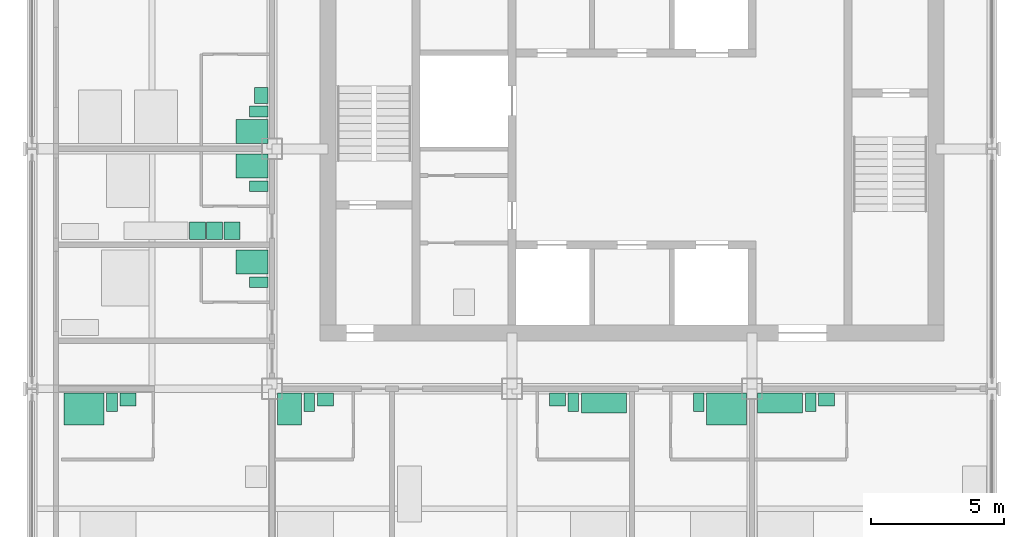
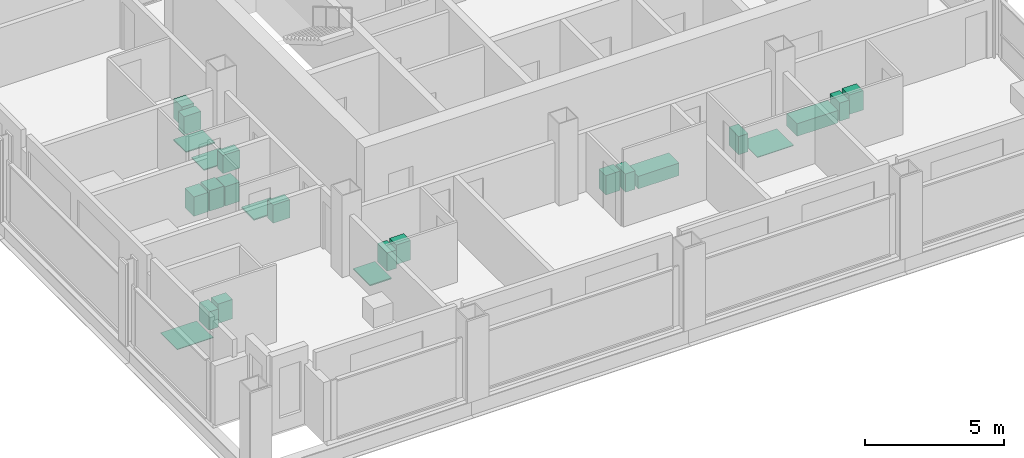
# One storey, part 11 of 12: 21 sanitary terminals, 3 electric appliances.
"""IFC4 building model written with IfcOpenShell, lengths in metres."""

from ifc_helpers import new_model, si_unit, direction, frame, origin, origin_2d, place, context, subcontext, project, spatial, rectangle, extrude, element, save


model = new_model("IFC4")

# Units and contexts
model_context = context("Model", 3, precision=1e-05, world=origin(), true_north=direction((0.0, 1.0)))
body_context = subcontext(model_context, "Body", "Model", "MODEL_VIEW")
ifc_project = project(units=[si_unit("LENGTHUNIT", "METRE"), si_unit("AREAUNIT", "SQUARE_METRE"), si_unit("VOLUMEUNIT", "CUBIC_METRE"), si_unit("PLANEANGLEUNIT", "RADIAN"), si_unit("MASSUNIT", "GRAM", prefix="KILO")], contexts=[model_context])

# Site, building, storey
site_placement = place(None, origin())
site = spatial("IfcSite", under=ifc_project, at=site_placement, CompositionType="ELEMENT")
building_placement = place(site_placement, origin())
building = spatial("IfcBuilding", under=site, at=building_placement, Name="Loomwork Tower", CompositionType="ELEMENT")
storey_placement = place(building_placement, frame((0.0, 0.0, 237.39990234375)))
storey = spatial("IfcBuildingStorey", under=building, at=storey_placement, Name="L65", CompositionType="ELEMENT", Elevation=237.39990234375)

# Sanitary terminals
sanitary_terminal_1_placement = place(storey_placement, frame((1.949951171875, 8.25, 0.0), z_axis=(0.0, 0.0, 1.0), x_axis=(1.0, 0.0, 0.0)))
element("IfcSanitaryTerminal", 1, at=sanitary_terminal_1_placement, inside=storey, Name="Roll-in shower floor L65", PredefinedType="SHOWER", context=body_context, shape_type="SweptSolid", body=[
    extrude(rectangle(XDim=1.5, YDim=1.199951171875, at=origin_2d()), origin(), (0.0, 0.0, 1.0), 0.030029296875),
])
sanitary_terminal_2_placement = place(storey_placement, frame((3.0, 8.5, 0.0), z_axis=(0.0, 0.0, 1.0), x_axis=(1.0, 0.0, 0.0)))
element("IfcSanitaryTerminal", 2, at=sanitary_terminal_2_placement, inside=storey, Name="WC L65", PredefinedType="TOILETPAN", context=body_context, shape_type="SweptSolid", body=[
    extrude(rectangle(XDim=0.39990234375, YDim=0.699951171875, at=origin_2d()), origin(), (0.0, 0.0, 1.0), 0.800048828125),
])
sanitary_terminal_3_placement = place(storey_placement, frame((3.60009765625, 8.60009765625, 0.0), z_axis=(0.0, 0.0, 1.0), x_axis=(1.0, 0.0, 0.0)))
element("IfcSanitaryTerminal", 3, at=sanitary_terminal_3_placement, inside=storey, Name="Basin vanity L65", PredefinedType="WASHHANDBASIN", context=body_context, shape_type="SweptSolid", body=[
    extrude(rectangle(XDim=0.60009765625, YDim=0.5, at=origin_2d()), origin(), (0.0, 0.0, 1.0), 0.85009765625),
])
sanitary_terminal_4_placement = place(storey_placement, frame((9.64990234375, 8.25, 0.0), z_axis=(0.0, 0.0, 1.0), x_axis=(1.0, 0.0, 0.0)))
element("IfcSanitaryTerminal", 4, at=sanitary_terminal_4_placement, inside=storey, Name="Shower tray L65", PredefinedType="SHOWER", context=body_context, shape_type="SweptSolid", body=[
    extrude(rectangle(XDim=0.89990234375, YDim=1.199951171875, at=origin_2d()), origin(), (0.0, 0.0, 1.0), 0.050048828125),
])
sanitary_terminal_5_placement = place(storey_placement, frame((10.39990234375, 8.5, 0.0), z_axis=(0.0, 0.0, 1.0), x_axis=(1.0, 0.0, 0.0)))
element("IfcSanitaryTerminal", 5, at=sanitary_terminal_5_placement, inside=storey, Name="WC L65", PredefinedType="TOILETPAN", context=body_context, shape_type="SweptSolid", body=[
    extrude(rectangle(XDim=0.39990234375, YDim=0.699951171875, at=origin_2d()), origin(), (0.0, 0.0, 1.0), 0.800048828125),
])
sanitary_terminal_6_placement = place(storey_placement, frame((11.0, 8.60009765625, 0.0), z_axis=(0.0, 0.0, 1.0), x_axis=(1.0, 0.0, 0.0)))
element("IfcSanitaryTerminal", 6, at=sanitary_terminal_6_placement, inside=storey, Name="Basin vanity L65", PredefinedType="WASHHANDBASIN", context=body_context, shape_type="SweptSolid", body=[
    extrude(rectangle(XDim=0.60009765625, YDim=0.5, at=origin_2d()), origin(), (0.0, 0.0, 1.0), 0.85009765625),
])
sanitary_terminal_7_placement = place(storey_placement, frame((21.449951171875, 8.47509765625, 0.0), z_axis=(0.0, 0.0, 1.0), x_axis=(1.0, 0.0, 0.0)))
element("IfcSanitaryTerminal", 7, at=sanitary_terminal_7_placement, inside=storey, Name="Bath L65", PredefinedType="BATH", context=body_context, shape_type="SweptSolid", body=[
    extrude(rectangle(XDim=1.699951171875, YDim=0.75, at=origin_2d()), origin(), (0.0, 0.0, 1.0), 0.550048828125),
])
sanitary_terminal_8_placement = place(storey_placement, frame((20.300048828125, 8.5, 0.0), z_axis=(0.0, 0.0, 1.0), x_axis=(1.0, 0.0, 0.0)))
element("IfcSanitaryTerminal", 8, at=sanitary_terminal_8_placement, inside=storey, Name="WC L65", PredefinedType="TOILETPAN", context=body_context, shape_type="SweptSolid", body=[
    extrude(rectangle(XDim=0.39990234375, YDim=0.699951171875, at=origin_2d()), origin(), (0.0, 0.0, 1.0), 0.800048828125),
])
sanitary_terminal_9_placement = place(storey_placement, frame((19.699951171875, 8.60009765625, 0.0), z_axis=(0.0, 0.0, 1.0), x_axis=(1.0, 0.0, 0.0)))
element("IfcSanitaryTerminal", 9, at=sanitary_terminal_9_placement, inside=storey, Name="Basin vanity L65", PredefinedType="WASHHANDBASIN", context=body_context, shape_type="SweptSolid", body=[
    extrude(rectangle(XDim=0.60009765625, YDim=0.5, at=origin_2d()), origin(), (0.0, 0.0, 1.0), 0.85009765625),
])
sanitary_terminal_10_placement = place(storey_placement, frame((26.050048828125, 8.25, 0.0), z_axis=(0.0, 0.0, 1.0), x_axis=(1.0, 0.0, 0.0)))
element("IfcSanitaryTerminal", 10, at=sanitary_terminal_10_placement, inside=storey, Name="Roll-in shower floor L65", PredefinedType="SHOWER", context=body_context, shape_type="SweptSolid", body=[
    extrude(rectangle(XDim=1.5, YDim=1.199951171875, at=origin_2d()), origin(), (0.0, 0.0, 1.0), 0.030029296875),
])
sanitary_terminal_11_placement = place(storey_placement, frame((25.0, 8.5, 0.0), z_axis=(0.0, 0.0, 1.0), x_axis=(1.0, 0.0, 0.0)))
element("IfcSanitaryTerminal", 11, at=sanitary_terminal_11_placement, inside=storey, Name="WC L65", PredefinedType="TOILETPAN", context=body_context, shape_type="SweptSolid", body=[
    extrude(rectangle(XDim=0.39990234375, YDim=0.699951171875, at=origin_2d()), origin(), (0.0, 0.0, 1.0), 0.800048828125),
])
sanitary_terminal_12_placement = place(storey_placement, frame((28.050048828125, 8.47509765625, 0.0), z_axis=(0.0, 0.0, 1.0), x_axis=(1.0, 0.0, 0.0)))
element("IfcSanitaryTerminal", 12, at=sanitary_terminal_12_placement, inside=storey, Name="Bath L65", PredefinedType="BATH", context=body_context, shape_type="SweptSolid", body=[
    extrude(rectangle(XDim=1.699951171875, YDim=0.75, at=origin_2d()), origin(), (0.0, 0.0, 1.0), 0.550048828125),
])
sanitary_terminal_13_placement = place(storey_placement, frame((29.199951171875, 8.5, 0.0), z_axis=(0.0, 0.0, 1.0), x_axis=(1.0, 0.0, 0.0)))
element("IfcSanitaryTerminal", 13, at=sanitary_terminal_13_placement, inside=storey, Name="WC L65", PredefinedType="TOILETPAN", context=body_context, shape_type="SweptSolid", body=[
    extrude(rectangle(XDim=0.39990234375, YDim=0.699951171875, at=origin_2d()), origin(), (0.0, 0.0, 1.0), 0.800048828125),
])
sanitary_terminal_14_placement = place(storey_placement, frame((29.800048828125, 8.60009765625, 0.0), z_axis=(0.0, 0.0, 1.0), x_axis=(1.0, 0.0, 0.0)))
element("IfcSanitaryTerminal", 14, at=sanitary_terminal_14_placement, inside=storey, Name="Basin vanity L65", PredefinedType="WASHHANDBASIN", context=body_context, shape_type="SweptSolid", body=[
    extrude(rectangle(XDim=0.60009765625, YDim=0.5, at=origin_2d()), origin(), (0.0, 0.0, 1.0), 0.85009765625),
])
sanitary_terminal_15_placement = place(storey_placement, frame((8.25, 13.75, 0.0), z_axis=(0.0, 0.0, 1.0), x_axis=(1.0, 0.0, 0.0)))
element("IfcSanitaryTerminal", 15, at=sanitary_terminal_15_placement, inside=storey, Name="Shower tray L65", PredefinedType="SHOWER", context=body_context, shape_type="SweptSolid", body=[
    extrude(rectangle(XDim=1.199951171875, YDim=0.89990234375, at=origin_2d()), origin(), (0.0, 0.0, 1.0), 0.050048828125),
])
sanitary_terminal_16_placement = place(storey_placement, frame((8.5, 13.0, 0.0), z_axis=(0.0, 0.0, 1.0), x_axis=(1.0, 0.0, 0.0)))
element("IfcSanitaryTerminal", 16, at=sanitary_terminal_16_placement, inside=storey, Name="WC L65", PredefinedType="TOILETPAN", context=body_context, shape_type="SweptSolid", body=[
    extrude(rectangle(XDim=0.699951171875, YDim=0.39990234375, at=origin_2d()), origin(), (0.0, 0.0, 1.0), 0.800048828125),
])
sanitary_terminal_17_placement = place(storey_placement, frame((8.25, 17.35009765625, 0.0), z_axis=(0.0, 0.0, 1.0), x_axis=(1.0, 0.0, 0.0)))
element("IfcSanitaryTerminal", 17, at=sanitary_terminal_17_placement, inside=storey, Name="Shower tray L65", PredefinedType="SHOWER", context=body_context, shape_type="SweptSolid", body=[
    extrude(rectangle(XDim=1.199951171875, YDim=0.89990234375, at=origin_2d()), origin(), (0.0, 0.0, 1.0), 0.050048828125),
])
sanitary_terminal_18_placement = place(storey_placement, frame((8.5, 16.60009765625, 0.0), z_axis=(0.0, 0.0, 1.0), x_axis=(1.0, 0.0, 0.0)))
element("IfcSanitaryTerminal", 18, at=sanitary_terminal_18_placement, inside=storey, Name="WC L65", PredefinedType="TOILETPAN", context=body_context, shape_type="SweptSolid", body=[
    extrude(rectangle(XDim=0.699951171875, YDim=0.39990234375, at=origin_2d()), origin(), (0.0, 0.0, 1.0), 0.800048828125),
])

# Electric appliances
electric_appliance_1_placement = place(storey_placement, frame((7.5, 14.925048828125, 0.0), z_axis=(0.0, 0.0, 1.0), x_axis=(1.0, 0.0, 0.0)))
element("IfcElectricAppliance", 19, at=electric_appliance_1_placement, inside=storey, Name="Refrigerator L65", PredefinedType="REFRIGERATOR", context=body_context, shape_type="SweptSolid", body=[
    extrude(rectangle(XDim=0.60009765625, YDim=0.64990234375, at=origin_2d()), origin(), (0.0, 0.0, 1.0), 0.85009765625),
])
electric_appliance_2_placement = place(storey_placement, frame((6.85009765625, 14.925048828125, 0.000244140625), z_axis=(0.0, 0.0, 1.0), x_axis=(1.0, 0.0, 0.0)))
element("IfcElectricAppliance", 20, at=electric_appliance_2_placement, inside=storey, Name="Two-ring cooktop and oven L65", PredefinedType="ELECTRICCOOKER", context=body_context, shape_type="SweptSolid", body=[
    extrude(rectangle(XDim=0.60009765625, YDim=0.64990234375, at=origin_2d()), origin(), (0.0, 0.0, 1.0), 0.89990234375),
])
electric_appliance_3_placement = place(storey_placement, frame((6.199951171875, 14.925048828125, 0.0), z_axis=(0.0, 0.0, 1.0), x_axis=(1.0, 0.0, 0.0)))
element("IfcElectricAppliance", 21, at=electric_appliance_3_placement, inside=storey, Name="Dishwasher L65", PredefinedType="DISHWASHER", context=body_context, shape_type="SweptSolid", body=[
    extrude(rectangle(XDim=0.60009765625, YDim=0.64990234375, at=origin_2d()), origin(), (0.0, 0.0, 1.0), 0.85009765625),
])

# Sanitary terminals
sanitary_terminal_19_placement = place(storey_placement, frame((8.25, 18.64990234375, 0.0), z_axis=(0.0, 0.0, 1.0), x_axis=(1.0, 0.0, 0.0)))
element("IfcSanitaryTerminal", 22, at=sanitary_terminal_19_placement, inside=storey, Name="Shower tray L65", PredefinedType="SHOWER", context=body_context, shape_type="SweptSolid", body=[
    extrude(rectangle(XDim=1.199951171875, YDim=0.89990234375, at=origin_2d()), origin(), (0.0, 0.0, 1.0), 0.050048828125),
])
sanitary_terminal_20_placement = place(storey_placement, frame((8.5, 19.39990234375, 0.0), z_axis=(0.0, 0.0, 1.0), x_axis=(1.0, 0.0, 0.0)))
element("IfcSanitaryTerminal", 23, at=sanitary_terminal_20_placement, inside=storey, Name="WC L65", PredefinedType="TOILETPAN", context=body_context, shape_type="SweptSolid", body=[
    extrude(rectangle(XDim=0.699951171875, YDim=0.39990234375, at=origin_2d()), origin(), (0.0, 0.0, 1.0), 0.800048828125),
])
sanitary_terminal_21_placement = place(storey_placement, frame((8.60009765625, 20.0, 0.0), z_axis=(0.0, 0.0, 1.0), x_axis=(1.0, 0.0, 0.0)))
element("IfcSanitaryTerminal", 24, at=sanitary_terminal_21_placement, inside=storey, Name="Basin vanity L65", PredefinedType="WASHHANDBASIN", context=body_context, shape_type="SweptSolid", body=[
    extrude(rectangle(XDim=0.5, YDim=0.60009765625, at=origin_2d()), origin(), (0.0, 0.0, 1.0), 0.85009765625),
])

save(model, "model.ifc")
